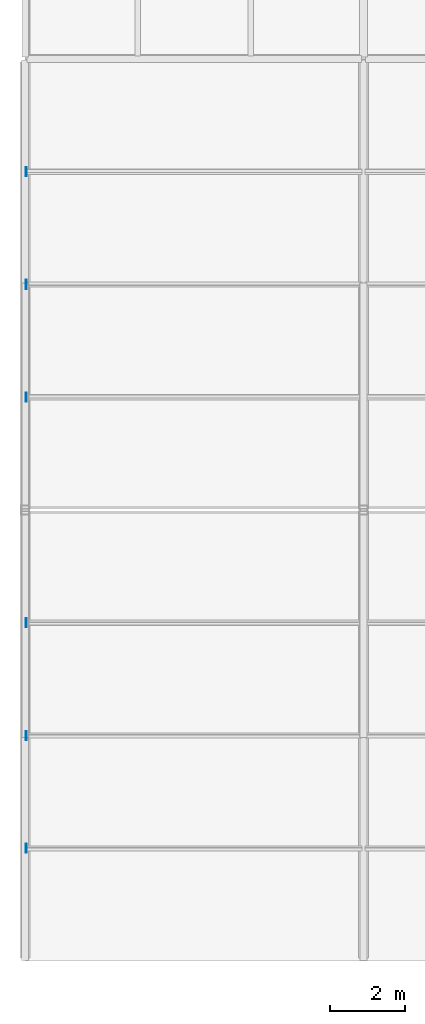
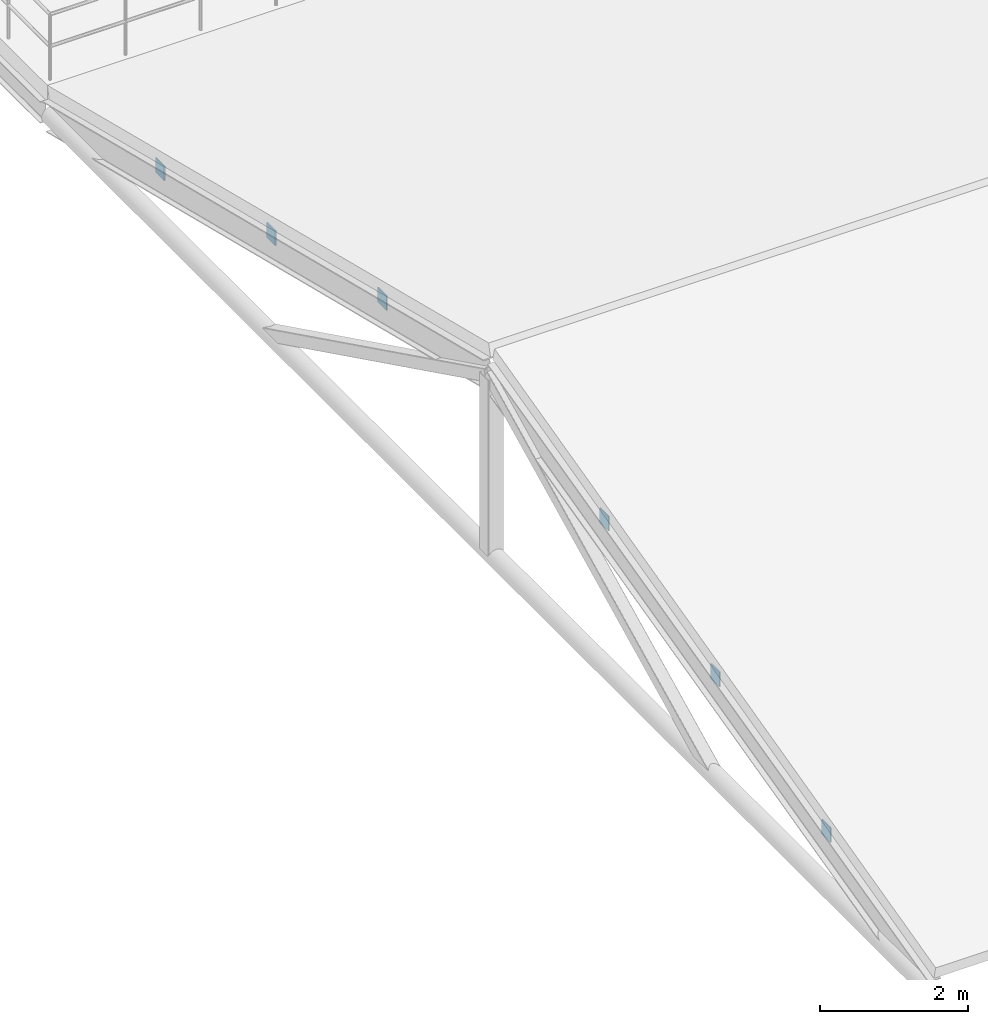
# One storey, part 38 of 54: 6 plates.
"""IFC4 building model written with IfcOpenShell, lengths in metres."""

from ifc_helpers import new_model, si_unit, direction, frame, origin, origin_2d, place, context, subcontext, project, spatial, rectangle, extrude, material, layer, layer_set, type_object, element, save


model = new_model("IFC4")

# Units and contexts
model_context = context("Model", 3, precision=1e-05, world=origin(), true_north=direction((0.0, 1.0)))
body_context = subcontext(model_context, "Body", "Model", "MODEL_VIEW")
ifc_project = project(units=[si_unit("LENGTHUNIT", "METRE"), si_unit("AREAUNIT", "SQUARE_METRE"), si_unit("VOLUMEUNIT", "CUBIC_METRE"), si_unit("PLANEANGLEUNIT", "RADIAN"), si_unit("MASSUNIT", "GRAM", prefix="KILO")], contexts=[model_context])

# Site, building, storey
site_placement = place(None, origin())
site = spatial("IfcSite", under=ifc_project, at=site_placement, CompositionType="ELEMENT")
building_placement = place(site_placement, origin())
building = spatial("IfcBuilding", under=site, at=building_placement, Name="Marnock Terrace Opera House", CompositionType="ELEMENT")
storey_placement = place(building_placement, frame((0.0, 0.0, 19.199951171875)))
storey = spatial("IfcBuildingStorey", under=building, at=storey_placement, Name="L04", CompositionType="ELEMENT", Elevation=19.199951171875)

# Plates
ifc_material = material(Name="Steel Grade 350 (AS/NZS 3679.1)", Category="steel")
ifc_layer = layer(ifc_material, 0.02001953125)
ifc_layer_set = layer_set([ifc_layer], Name="Steel Grade 350 (AS/NZS 3679.1)")
plate_type = type_object("IfcPlateType", Name="PLT-ENDCAP-240x20", PredefinedType="SHEET", material=ifc_layer_set)
for number, where, z_axis, x_axis, name in (
    (1, (0.030029296875, 11.0, 0.30859375), (0.0, 0.0, 1.0), (1.0, 0.0, 0.0), "Rehearsal Wing roof purlin Y=11 west SHS end-cap plate"),
    (2, (0.030029296875, 14.0, 1.05859375), (0.0, 0.0, 1.0), (1.0, 0.0, 0.0), "Rehearsal Wing roof purlin Y=14 west SHS end-cap plate"),
    (3, (0.030029296875, 17.0, 1.80859375), (0.0, 0.0, 1.0), (1.0, 0.0, 0.0), "Rehearsal Wing roof purlin Y=17 west SHS end-cap plate"),
    (4, (0.030029296875, 23.0, 1.80859375), (0.0, 0.0, 1.0), (1.0, 0.0, 0.0), "Rehearsal Wing roof purlin Y=23 west SHS end-cap plate"),
    (5, (0.030029296875, 26.0, 1.05859375), (0.0, 0.0, 1.0), (1.0, 0.0, 0.0), "Rehearsal Wing roof purlin Y=26 west SHS end-cap plate"),
    (6, (0.030029296875, 29.0, 0.30859375), (0.0, 0.0, 1.0), (1.0, 0.0, 0.0), "Rehearsal Wing roof purlin Y=29 west SHS end-cap plate"),
):
    element("IfcPlate", number, at=place(storey_placement, frame(where, z_axis=z_axis, x_axis=x_axis)), inside=storey, type_object=plate_type, Name=name, PredefinedType="SHEET", context=body_context, shape_type="SweptSolid", body=[
        extrude(rectangle(XDim=0.02001953125, YDim=0.239990234375, at=origin_2d()), origin(), (0.0, 0.0, 1.0), 0.239990234375),
    ])

save(model, "model.ifc")
